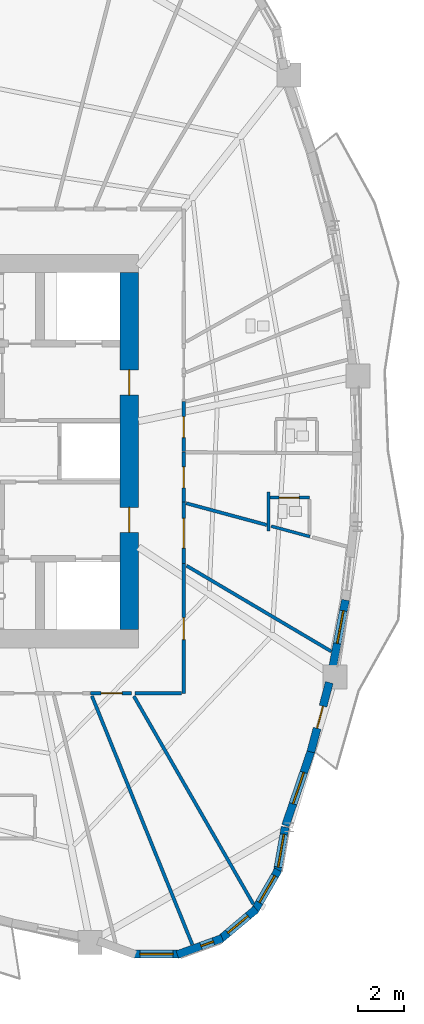
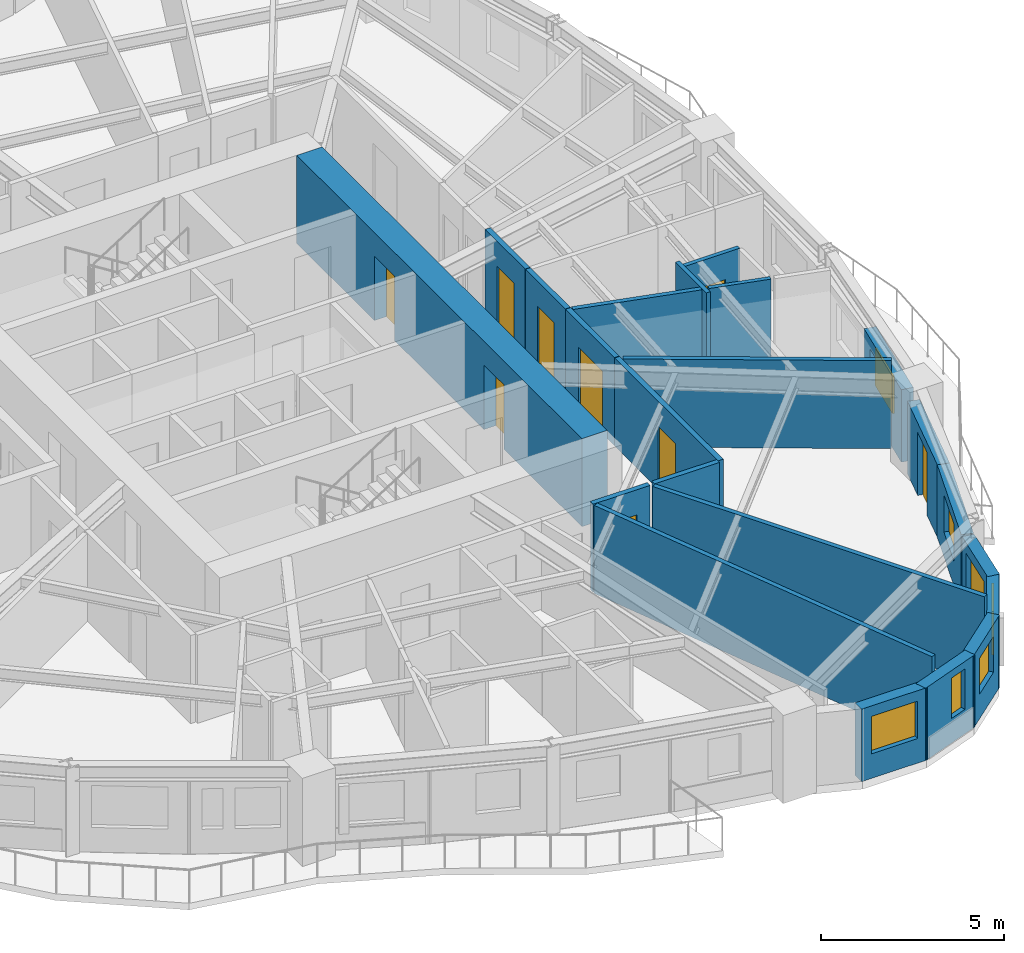
# One storey, part 6 of 13: 22 walls, 9 doors, 7 windows, 16 openings.
"""IFC4 building model written with IfcOpenShell, lengths in metres."""

import ifcopenshell
import ifcopenshell.guid

model = None  # the IFC model being written
_history = None  # IfcOwnerHistory: only IFC2X3 demands one
_inside = {}  # id of a spatial element -> (the spatial element, [elements in it])
_under = {}  # id of a project, library or spatial element -> (it, [spatial elements below it])
_declared = {}  # id of a project -> (the project, [libraries it declares])
_typed = {}  # id of a type object -> (the type object, [elements of that type])
_made_of = {}  # id of a material, layer set ... -> (it, [elements and type objects made of it])


def new_model(schema):
    """Start an empty IFC model of exactly this schema.

    Asked for "IFC4X3", IfcOpenShell would pick the latest addendum, in which some entities
    have other attributes; the version numbers below select the first issue.
    IFC2X3 requires an IfcOwnerHistory on every rooted entity: one is made here for all.
    """
    global model, _history
    if schema == "IFC4X3":
        model = ifcopenshell.file(schema_version=(4, 3, 0, 0))
    else:
        model = ifcopenshell.file(schema=schema)
    _inside.clear()
    _under.clear()
    _declared.clear()
    _typed.clear()
    _made_of.clear()
    _history = None
    if model.schema == "IFC2X3":
        org = make("IfcOrganization", Name="unknown")
        user = make(
            "IfcPersonAndOrganization",
            ThePerson=make("IfcPerson", FamilyName="unknown"),
            TheOrganization=org,
        )
        app = make(
            "IfcApplication",
            ApplicationDeveloper=org,
            Version="unknown",
            ApplicationFullName="unknown",
            ApplicationIdentifier="unknown",
        )
        _history = make(
            "IfcOwnerHistory",
            OwningUser=user,
            OwningApplication=app,
            ChangeAction="ADDED",
            CreationDate=0,
        )
    return model


def make(cls, **values):
    """One entity of the class cls with the attributes given. An attribute that is None is left unset."""
    return model.create_entity(
        cls, **{name: value for name, value in values.items() if value is not None}
    )


def rooted(cls, **values):
    """An entity with a GlobalId (a new one), such as an element, a storey or a relation."""
    return make(cls, GlobalId=ifcopenshell.guid.new(), OwnerHistory=_history, **values)


def si_unit(unit_type, name, prefix=None):
    """IfcSIUnit, for example si_unit("LENGTHUNIT", "METRE", prefix="MILLI")."""
    return make("IfcSIUnit", UnitType=unit_type, Prefix=prefix, Name=name)


def assignment(units):
    """IfcUnitAssignment: the units of a project."""
    return None if units is None else make("IfcUnitAssignment", Units=units)


def point(xyz):
    """IfcCartesianPoint."""
    return None if xyz is None else make("IfcCartesianPoint", Coordinates=xyz)


def direction(xyz):
    """IfcDirection."""
    return None if xyz is None else make("IfcDirection", DirectionRatios=xyz)


def frame(location, z_axis=None, x_axis=None):
    """IfcAxis2Placement3D, a coordinate frame: its origin and axes. An axis left out is left unset."""
    return make(
        "IfcAxis2Placement3D",
        Location=point(location),
        Axis=direction(z_axis),
        RefDirection=direction(x_axis),
    )


def frame_2d(location, x_axis=None):
    """IfcAxis2Placement2D, a coordinate frame in the plane: its origin and x axis."""
    return make(
        "IfcAxis2Placement2D", Location=point(location), RefDirection=direction(x_axis)
    )


def origin():
    """The frame at (0, 0, 0) with its axes left unset."""
    return frame((0.0, 0.0, 0.0))


def place(relative_to, where):
    """IfcLocalPlacement: puts the frame where relative to a parent placement (None: the world)."""
    return make(
        "IfcLocalPlacement", PlacementRelTo=relative_to, RelativePlacement=where
    )


def context(
    kind, dimensions, precision=None, world=None, true_north=None, identifier=None
):
    """IfcGeometricRepresentationContext, for example the 3D "Model" context."""
    return make(
        "IfcGeometricRepresentationContext",
        ContextIdentifier=identifier,
        ContextType=kind,
        CoordinateSpaceDimension=dimensions,
        Precision=precision,
        WorldCoordinateSystem=world,
        TrueNorth=true_north,
    )


def subcontext(parent, identifier, kind, view, scale=None):
    """IfcGeometricRepresentationSubContext, for example "Body" below "Model"."""
    return make(
        "IfcGeometricRepresentationSubContext",
        ContextIdentifier=identifier,
        ContextType=kind,
        ParentContext=parent,
        TargetScale=scale,
        TargetView=view,
    )


def project(units=None, contexts=None):
    """IfcProject with its units and contexts."""
    return rooted(
        "IfcProject",
        Name="project",
        RepresentationContexts=contexts,
        UnitsInContext=assignment(units),
    )


def spatial(cls, under=None, at=None, **own):
    """A site, building, storey or space (cls), placed at a placement, below another one or the project."""
    s = rooted(cls, ObjectPlacement=at, **own)
    if under is not None:
        _under.setdefault(under.id(), (under, []))[1].append(s)
    return s


def profile(cls, at=None, kind="AREA", **sizes):
    """A parametric profile (cls). Its sizes go by their IFC names, for example OverallWidth=200.0."""
    return make(cls, ProfileType=kind, Position=at, **sizes)


def rectangle(**sizes):
    """IfcRectangleProfileDef."""
    return profile("IfcRectangleProfileDef", **sizes)


def extrude(swept, where, along, depth):
    """IfcExtrudedAreaSolid: the profile swept, set in the frame where, extruded along a direction by depth."""
    return make(
        "IfcExtrudedAreaSolid",
        SweptArea=swept,
        Position=where,
        ExtrudedDirection=direction(along),
        Depth=depth,
    )


def shape(context_of_items, identifier, shape_type, items):
    """IfcShapeRepresentation: the items that make up one representation, for example the "Body"."""
    return make(
        "IfcShapeRepresentation",
        ContextOfItems=context_of_items,
        RepresentationIdentifier=identifier,
        RepresentationType=shape_type,
        Items=items,
    )


def source(mapping_origin, context_of_items, identifier, shape_type, items):
    """IfcRepresentationMap: a shape defined once, which mapped items show again and again."""
    return make(
        "IfcRepresentationMap",
        MappingOrigin=mapping_origin,
        MappedRepresentation=shape(context_of_items, identifier, shape_type, items),
    )


def transform(
    local_origin,
    x_axis=None,
    y_axis=None,
    z_axis=None,
    scale=None,
    scale2=None,
    scale3=None,
    uniform=True,
):
    """IfcCartesianTransformationOperator3D, or its non-uniform kind. x_axis, y_axis, z_axis: its Axis1, 2, 3."""
    if uniform:
        return make(
            "IfcCartesianTransformationOperator3D",
            Axis1=direction(x_axis),
            Axis2=direction(y_axis),
            LocalOrigin=point(local_origin),
            Scale=scale,
            Axis3=direction(z_axis),
        )
    return make(
        "IfcCartesianTransformationOperator3DnonUniform",
        Axis1=direction(x_axis),
        Axis2=direction(y_axis),
        LocalOrigin=point(local_origin),
        Scale=scale,
        Axis3=direction(z_axis),
        Scale2=scale2,
        Scale3=scale3,
    )


def mapped(mapping_source, mapping_target):
    """IfcMappedItem: shows the shape of a source again, moved by a transform."""
    return make(
        "IfcMappedItem", MappingSource=mapping_source, MappingTarget=mapping_target
    )


def material(Name=None, Category=None):
    """IfcMaterial."""
    return make("IfcMaterial", Name=Name, Category=Category)


def layer(
    of_material, thickness, ventilated=None, Name=None, Category=None, Priority=None
):
    """IfcMaterialLayer: one layer of a wall or slab, of a material (None: an air gap)."""
    return make(
        "IfcMaterialLayer",
        Material=of_material,
        LayerThickness=thickness,
        IsVentilated=ventilated,
        Name=Name,
        Category=Category,
        Priority=Priority,
    )


def layer_set(layers, Name=None):
    """IfcMaterialLayerSet."""
    return make("IfcMaterialLayerSet", MaterialLayers=layers, LayerSetName=Name)


def made_of(thing, what):
    """Note that an element or type object is made of a material, layer set ...; save() writes the relation."""
    if what is not None:
        _made_of.setdefault(what.id(), (what, []))[1].append(thing)
    return thing


def type_object(cls, material=None, **own):
    """A type object (cls), such as IfcWallType, which elements share."""
    return made_of(rooted(cls, **own), material)


def element(
    cls,
    number,
    at=None,
    inside=None,
    cuts=None,
    type_object=None,
    material=None,
    context=None,
    identifier="Body",
    shape_type=None,
    held_by="IfcProductDefinitionShape",
    body=None,
    shapes=None,
    **own,
):
    """One element of the class cls, such as IfcWall. Its Tag is "e" and its number.

    at: its placement. inside: the storey or other place that contains it. cuts: it is an
    opening in that element (IfcRelVoidsElement). A single representation is given by context,
    identifier, shape_type and body (its items); several are given by shapes. held_by: the class
    of the entity that holds the representations. save() writes the other relations.
    """
    e = rooted(cls, Tag="e%d" % number, ObjectPlacement=at, **own)
    if body is not None:
        shapes = [shape(context, identifier, shape_type, body)]
    if shapes is not None:
        e.Representation = make(held_by, Representations=shapes)
    if inside is not None:
        _inside.setdefault(inside.id(), (inside, []))[1].append(e)
    if cuts is not None:
        rooted(
            "IfcRelVoidsElement", RelatingBuildingElement=cuts, RelatedOpeningElement=e
        )
    if type_object is not None:
        _typed.setdefault(type_object.id(), (type_object, []))[1].append(e)
    return made_of(e, material)


def fill(opening, filler):
    """IfcRelFillsElement: the door or window that sits in an opening."""
    return rooted(
        "IfcRelFillsElement",
        RelatingOpeningElement=opening,
        RelatedBuildingElement=filler,
    )


def aggregate(whole, parts):
    """IfcRelAggregates: a whole, such as a stair, and the parts it consists of."""
    return rooted("IfcRelAggregates", RelatingObject=whole, RelatedObjects=parts)


def save(model, path):
    """Write the relations noted so far, then the file.

    IfcRelAggregates (storeys below a building ...), IfcRelContainedInSpatialStructure (elements
    in a storey), IfcRelDefinesByType, IfcRelAssociatesMaterial and IfcRelDeclares: one each for
    every whole, place, type object, material and project.
    """
    for whole, parts in _under.values():
        aggregate(whole, parts)
    for where, things in _inside.values():
        rooted(
            "IfcRelContainedInSpatialStructure",
            RelatedElements=things,
            RelatingStructure=where,
        )
    for kind, things in _typed.values():
        rooted("IfcRelDefinesByType", RelatedObjects=things, RelatingType=kind)
    for what, things in _made_of.values():
        rooted("IfcRelAssociatesMaterial", RelatedObjects=things, RelatingMaterial=what)
    for by, libraries in _declared.values():
        rooted("IfcRelDeclares", RelatingContext=by, RelatedDefinitions=libraries)
    model.write(path)


model = new_model("IFC4")

# Units and contexts
model_context = context("Model", 3, precision=1e-05, world=origin(), true_north=direction((0.0, 1.0)))
body_context = subcontext(model_context, "Body", "Model", "MODEL_VIEW")
ifc_project = project(units=[si_unit("LENGTHUNIT", "METRE"), si_unit("AREAUNIT", "SQUARE_METRE"), si_unit("VOLUMEUNIT", "CUBIC_METRE"), si_unit("PLANEANGLEUNIT", "RADIAN"), si_unit("MASSUNIT", "GRAM", prefix="KILO")], contexts=[model_context])

# Site, building, storey
site_placement = place(None, origin())
site = spatial("IfcSite", under=ifc_project, at=site_placement, CompositionType="ELEMENT")
building_placement = place(site_placement, origin())
building = spatial("IfcBuilding", under=site, at=building_placement, Name="Qafzar Sky-Pleat Residences", CompositionType="ELEMENT")
storey_placement = place(building_placement, frame((0.0, 0.0, 49.39990234375)))
storey = spatial("IfcBuildingStorey", under=building, at=storey_placement, Name="L14", CompositionType="ELEMENT", Elevation=49.39990234375)

# Wall, opening, door
ifc_material_1 = material(Name="Acoustic gypsum plasterboard partition", Category="gypsum")
ifc_layer_1 = layer(ifc_material_1, 0.159912109375)
ifc_layer_set_1 = layer_set([ifc_layer_1], Name="Acoustic gypsum plasterboard partition")
wall_type_1 = type_object("IfcWallType", Name="PART-COR-160", PredefinedType="PARTITIONING", material=ifc_layer_set_1)
wall_1_placement = place(storey_placement, frame((38.679931640625, 21.0859375, 0.0), z_axis=(0.0, 0.0, 1.0), x_axis=(0.0, -1.0, 0.0)))
wall_1 = element("IfcWall", 1, at=wall_1_placement, inside=storey, type_object=wall_type_1, Name="L14 Partition Wall PART-L14-PW-003", PredefinedType="PARTITIONING", context=body_context, shape_type="SweptSolid", body=[
    extrude(rectangle(XDim=5.666015625, YDim=0.159912109375, at=frame_2d((2.8330078125, 0.0))), origin(), (0.0, 0.0, 1.0), 2.940185546875),
])
opening_1_placement = place(wall_1_placement, frame((2.361572265625, 0.0, 0.0)))
opening_1 = element("IfcOpeningElement", 2, at=opening_1_placement, cuts=wall_1, Name="Opening ID-06", PredefinedType="OPENING", context=body_context, shape_type="SweptSolid", body=[
    extrude(rectangle(XDim=0.9599609375, YDim=2.10009765625, at=frame_2d((0.47998046875, 1.050048828125))), frame((0.0, 0.08984375, 0.0), z_axis=(0.0, -1.0, 0.0), x_axis=(1.0, 0.0, 0.0)), (0.0, 0.0, 1.0), 0.179931640625),
])
ifc_material_2 = material(Name="Timber-faced fire door", Category="wood")
door_type_1 = type_object("IfcDoorType", Name="DR-STD-960", OperationType="NOTDEFINED", PredefinedType="DOOR", material=ifc_material_2)
shared_shape_1 = source(origin(), body_context, "Body", "SweptSolid", [
    extrude(rectangle(XDim=0.9599609375, YDim=2.10009765625, at=frame_2d((0.47998046875, 1.050048828125))), frame((0.0, 0.02490234375, 0.0), z_axis=(0.0, -1.0, 0.0), x_axis=(1.0, 0.0, 0.0)), (0.0, 0.0, 1.0), 0.050048828125),
])
door_1_placement = place(opening_1_placement, origin())
door_1 = element("IfcDoor", 3, at=door_1_placement, inside=storey, type_object=door_type_1, Name="L14 Faculty Research Office Door", OperationType="SINGLE_SWING_RIGHT", OverallHeight=2.10009765625, OverallWidth=0.9599609375, PredefinedType="DOOR", context=body_context, shape_type="MappedRepresentation", body=[
    mapped(shared_shape_1, transform((0.0, 0.0, 0.0), x_axis=(1.0, 0.0, 0.0), y_axis=(0.0, 1.0, 0.0), z_axis=(0.0, 0.0, 1.0), scale=1.0)),
])
fill(opening_1, door_1)

wall_2_placement = place(storey_placement, frame((38.679931640625, 23.77001953125, 0.0), z_axis=(0.0, 0.0, 1.0), x_axis=(0.0, -1.0, 0.0)))
wall_2 = element("IfcWall", 4, at=wall_2_placement, inside=storey, type_object=wall_type_1, Name="L14 Partition Wall PART-L14-PW-011", PredefinedType="PARTITIONING", context=body_context, shape_type="SweptSolid", body=[
    extrude(rectangle(XDim=2.6689453125, YDim=0.159912109375, at=frame_2d((1.33447265625, 0.0))), origin(), (0.0, 0.0, 1.0), 2.940185546875),
])
opening_2_placement = place(wall_2_placement, frame((0.7080078125, 0.0, 0.0)))
opening_2 = element("IfcOpeningElement", 5, at=opening_2_placement, cuts=wall_2, Name="Opening ID-05", PredefinedType="OPENING", context=body_context, shape_type="SweptSolid", body=[
    extrude(rectangle(XDim=1.300048828125, YDim=2.10009765625, at=frame_2d((0.64990234375, 1.050048828125))), frame((0.0, 0.08984375, 0.0), z_axis=(0.0, -1.0, 0.0), x_axis=(1.0, 0.0, 0.0)), (0.0, 0.0, 1.0), 0.179931640625),
])
door_type_2 = type_object("IfcDoorType", Name="DR-LNG-1300", OperationType="DOUBLE_DOOR_SINGLE_SWING", PredefinedType="DOOR", material=ifc_material_2)
shared_shape_2 = source(origin(), body_context, "Body", "SweptSolid", [
    extrude(rectangle(XDim=1.300048828125, YDim=2.10009765625, at=frame_2d((0.64990234375, 1.050048828125))), frame((0.0, 0.02490234375, 0.0), z_axis=(0.0, -1.0, 0.0), x_axis=(1.0, 0.0, 0.0)), (0.0, 0.0, 1.0), 0.050048828125),
])
door_2_placement = place(opening_2_placement, origin())
door_2 = element("IfcDoor", 6, at=door_2_placement, inside=storey, type_object=door_type_2, Name="L14 Communal Kitchen Door", OperationType="DOUBLE_DOOR_SINGLE_SWING", OverallHeight=2.10009765625, OverallWidth=1.300048828125, PredefinedType="DOOR", context=body_context, shape_type="MappedRepresentation", body=[
    mapped(shared_shape_2, transform((0.0, 0.0, 0.0), x_axis=(1.0, 0.0, 0.0), y_axis=(0.0, 1.0, 0.0), z_axis=(0.0, 0.0, 1.0), scale=1.0)),
])
fill(opening_2, door_2)

wall_3_placement = place(storey_placement, frame((38.679931640625, 25.968017578125, 0.0), z_axis=(0.0, 0.0, 1.0), x_axis=(0.0, -1.0, 0.0)))
wall_3 = element("IfcWall", 7, at=wall_3_placement, inside=storey, type_object=wall_type_1, Name="L14 Partition Wall PART-L14-PW-014", PredefinedType="PARTITIONING", context=body_context, shape_type="SweptSolid", body=[
    extrude(rectangle(XDim=2.18310546875, YDim=0.159912109375, at=frame_2d((1.091552734375, 0.0))), origin(), (0.0, 0.0, 1.0), 2.940185546875),
])
opening_3_placement = place(wall_3_placement, frame((0.654052734375, 0.0, 0.0)))
opening_3 = element("IfcOpeningElement", 8, at=opening_3_placement, cuts=wall_3, Name="Opening ID-04", PredefinedType="OPENING", context=body_context, shape_type="SweptSolid", body=[
    extrude(rectangle(XDim=0.919921875, YDim=2.10009765625, at=frame_2d((0.4599609375, 1.050048828125))), frame((0.0, 0.08984375, 0.0), z_axis=(0.0, -1.0, 0.0), x_axis=(1.0, 0.0, 0.0)), (0.0, 0.0, 1.0), 0.179931640625),
])
door_type_3 = type_object("IfcDoorType", Name="DR-BED-920", OperationType="NOTDEFINED", PredefinedType="DOOR", material=ifc_material_2)
shared_shape_3 = source(origin(), body_context, "Body", "SweptSolid", [
    extrude(rectangle(XDim=0.919921875, YDim=2.10009765625, at=frame_2d((0.4599609375, 1.050048828125))), frame((0.0, 0.02490234375, 0.0), z_axis=(0.0, -1.0, 0.0), x_axis=(1.0, 0.0, 0.0)), (0.0, 0.0, 1.0), 0.050048828125),
])
door_3_placement = place(opening_3_placement, origin())
door_3 = element("IfcDoor", 9, at=door_3_placement, inside=storey, type_object=door_type_3, Name="L14 Co-Living Bedroom 3 Door", OperationType="SINGLE_SWING_RIGHT", OverallHeight=2.10009765625, OverallWidth=0.919921875, PredefinedType="DOOR", context=body_context, shape_type="MappedRepresentation", body=[
    mapped(shared_shape_3, transform((0.0, 0.0, 0.0), x_axis=(1.0, 0.0, 0.0), y_axis=(0.0, 1.0, 0.0), z_axis=(0.0, 0.0, 1.0), scale=1.0)),
])
fill(opening_3, door_3)

wall_4_placement = place(storey_placement, frame((38.679931640625, 28.1640625, 0.0), z_axis=(0.0, 0.0, 1.0), x_axis=(0.0, -1.0, 0.0)))
wall_4 = element("IfcWall", 10, at=wall_4_placement, inside=storey, type_object=wall_type_1, Name="L14 Partition Wall PART-L14-PW-015", PredefinedType="PARTITIONING", context=body_context, shape_type="SweptSolid", body=[
    extrude(rectangle(XDim=2.18115234375, YDim=0.159912109375, at=frame_2d((1.090576171875, 0.0))), origin(), (0.0, 0.0, 1.0), 2.940185546875),
])
opening_4_placement = place(wall_4_placement, frame((0.653564453125, 0.0, 0.0)))
opening_4 = element("IfcOpeningElement", 11, at=opening_4_placement, cuts=wall_4, Name="Opening ID-04", PredefinedType="OPENING", context=body_context, shape_type="SweptSolid", body=[
    extrude(rectangle(XDim=0.919921875, YDim=2.10009765625, at=frame_2d((0.4599609375, 1.050048828125))), frame((0.0, 0.08984375, 0.0), z_axis=(0.0, -1.0, 0.0), x_axis=(1.0, 0.0, 0.0)), (0.0, 0.0, 1.0), 0.179931640625),
])
door_4_placement = place(opening_4_placement, origin())
door_4 = element("IfcDoor", 12, at=door_4_placement, inside=storey, type_object=door_type_3, Name="L14 Co-Living Bedroom 4 Door", OperationType="SINGLE_SWING_LEFT", OverallHeight=2.10009765625, OverallWidth=0.919921875, PredefinedType="DOOR", context=body_context, shape_type="MappedRepresentation", body=[
    mapped(shared_shape_3, transform((0.0, 0.0, 0.0), x_axis=(1.0, 0.0, 0.0), y_axis=(0.0, 1.0, 0.0), z_axis=(0.0, 0.0, 1.0), scale=1.0)),
])
fill(opening_4, door_4)

wall_5_placement = place(storey_placement, frame((36.39794921875, 15.419921875, 0.0), z_axis=(0.0, 0.0, 1.0), x_axis=(-1.0, 0.0, 0.0)))
wall_5 = element("IfcWall", 13, at=wall_5_placement, inside=storey, type_object=wall_type_1, Name="L14 Partition Wall PART-L14-PW-025", PredefinedType="PARTITIONING", context=body_context, shape_type="SweptSolid", body=[
    extrude(rectangle(XDim=1.7919921875, YDim=0.159912109375, at=frame_2d((0.89599609375, 0.0))), origin(), (0.0, 0.0, 1.0), 2.940185546875),
])
opening_5_placement = place(wall_5_placement, frame((0.410888671875, 0.0, 0.0)))
opening_5 = element("IfcOpeningElement", 14, at=opening_5_placement, cuts=wall_5, Name="Opening ID-04", PredefinedType="OPENING", context=body_context, shape_type="SweptSolid", body=[
    extrude(rectangle(XDim=0.919921875, YDim=2.10009765625, at=frame_2d((0.4599609375, 1.050048828125))), frame((0.0, 0.08984375, 0.0), z_axis=(0.0, -1.0, 0.0), x_axis=(1.0, 0.0, 0.0)), (0.0, 0.0, 1.0), 0.179931640625),
])
door_5_placement = place(opening_5_placement, origin())
door_5 = element("IfcDoor", 15, at=door_5_placement, inside=storey, type_object=door_type_3, Name="L14 Co-Living Bedroom 2 Door", OperationType="SINGLE_SWING_LEFT", OverallHeight=2.10009765625, OverallWidth=0.919921875, PredefinedType="DOOR", context=body_context, shape_type="MappedRepresentation", body=[
    mapped(shared_shape_3, transform((0.0, 0.0, 0.0), x_axis=(1.0, 0.0, 0.0), y_axis=(0.0, 1.0, 0.0), z_axis=(0.0, 0.0, 1.0), scale=1.0)),
])
fill(opening_5, door_5)

# Walls
wall_6_placement = place(storey_placement, frame((36.550537109375, 15.419921875, 0.0), z_axis=(0.0, 0.0, 1.0), x_axis=(1.0, 0.0, 0.0)))
element("IfcWall", 16, at=wall_6_placement, inside=storey, type_object=wall_type_1, Name="L14 Partition Wall PART-L14-PW-056", PredefinedType="PARTITIONING", context=body_context, shape_type="SweptSolid", body=[
    extrude(rectangle(XDim=2.04150390625, YDim=0.159912109375, at=frame_2d((1.020751953125, 0.0))), origin(), (0.0, 0.0, 1.0), 2.940185546875),
])
ifc_layer_2 = layer(ifc_material_1, 0.14501953125)
ifc_layer_set_2 = layer_set([ifc_layer_2], Name="Acoustic gypsum plasterboard partition")
wall_type_2 = type_object("IfcWallType", Name="PART-UNIT-145", PredefinedType="PARTITIONING", material=ifc_layer_set_2)
wall_7_placement = place(storey_placement, frame((34.669189453125, 15.305419921875, 0.0), z_axis=(0.0, 0.0, 1.0), x_axis=(0.374459605158, -0.927243228126, 0.0)))
element("IfcWall", 17, at=wall_7_placement, inside=storey, type_object=wall_type_2, Name="L14 Partition Wall PART-L14-PW-031", PredefinedType="PARTITIONING", context=body_context, shape_type="SweptSolid", body=[
    extrude(rectangle(XDim=11.719482421875, YDim=0.14501953125, at=frame_2d((5.85986328125, 0.0))), origin(), (0.0, 0.0, 1.0), 2.940185546875),
])
wall_8_placement = place(storey_placement, frame((36.501708984375, 15.296875, 0.0), z_axis=(0.0, 0.0, 1.0), x_axis=(0.498240240214, -0.867039020478, 0.0)))
element("IfcWall", 18, at=wall_8_placement, inside=storey, type_object=wall_type_2, Name="L14 Partition Wall PART-L14-PW-037", PredefinedType="PARTITIONING", context=body_context, shape_type="SweptSolid", body=[
    extrude(rectangle(XDim=10.490478515625, YDim=0.14501953125, at=frame_2d((5.2451171875, 0.0))), origin(), (0.0, 0.0, 1.0), 2.940185546875),
])
wall_9_placement = place(storey_placement, frame((38.8037109375, 20.99560546875, 0.0), z_axis=(0.0, 0.0, 1.0), x_axis=(0.860541640281, -0.509380099084, 0.0)))
element("IfcWall", 19, at=wall_9_placement, inside=storey, type_object=wall_type_2, Name="L14 Partition Wall PART-L14-PW-040", PredefinedType="PARTITIONING", context=body_context, shape_type="SweptSolid", body=[
    extrude(rectangle(XDim=7.354248046875, YDim=0.14501953125, at=frame_2d((3.67724609375, 0.0))), origin(), (0.0, 0.0, 1.0), 2.940185546875),
])
wall_10_placement = place(storey_placement, frame((38.78662109375, 23.726318359375, 0.0), z_axis=(0.0, 0.0, 1.0), x_axis=(0.965490888833, -0.260436832228, 0.0)))
element("IfcWall", 20, at=wall_10_placement, inside=storey, type_object=wall_type_2, Name="L14 Partition Wall PART-L14-PW-048", PredefinedType="PARTITIONING", context=body_context, shape_type="SweptSolid", body=[
    extrude(rectangle(XDim=3.646484375, YDim=0.14501953125, at=frame_2d((1.8232421875, 0.0))), origin(), (0.0, 0.0, 1.0), 2.940185546875),
])

# Wall, opening, door
ifc_material_3 = material(Name="Moisture-resistant gypsum partition", Category="gypsum")
ifc_layer_3 = layer(ifc_material_3, 0.1298828125)
ifc_layer_set_3 = layer_set([ifc_layer_3], Name="Moisture-resistant gypsum partition")
wall_type_3 = type_object("IfcWallType", Name="PART-WET-130", PredefinedType="PARTITIONING", material=ifc_layer_set_3)
wall_11_placement = place(storey_placement, frame((44.18408203125, 23.971923828125, 0.0), z_axis=(0.0, 0.0, 1.0), x_axis=(-1.0, 0.0, 0.0)))
wall_11 = element("IfcWall", 21, at=wall_11_placement, inside=storey, type_object=wall_type_3, Name="L14 Partition Wall PART-L14-PW-024", PredefinedType="PARTITIONING", context=body_context, shape_type="SweptSolid", body=[
    extrude(rectangle(XDim=1.72705078125, YDim=0.1298828125, at=frame_2d((0.863525390625, 0.0))), origin(), (0.0, 0.0, 1.0), 2.940185546875),
])
opening_6_placement = place(wall_11_placement, frame((0.4599609375, 0.0, 0.0)))
opening_6 = element("IfcOpeningElement", 22, at=opening_6_placement, cuts=wall_11, Name="Opening ID-07", PredefinedType="OPENING", context=body_context, shape_type="SweptSolid", body=[
    extrude(rectangle(XDim=0.8798828125, YDim=2.050048828125, at=frame_2d((0.43994140625, 1.02490234375))), frame((0.0, 0.074951171875, 0.0), z_axis=(0.0, -1.0, 0.0), x_axis=(1.0, 0.0, 0.0)), (0.0, 0.0, 1.0), 0.14990234375),
])
door_type_4 = type_object("IfcDoorType", Name="DR-WET-880", OperationType="NOTDEFINED", PredefinedType="DOOR", material=ifc_material_2)
shared_shape_4 = source(origin(), body_context, "Body", "SweptSolid", [
    extrude(rectangle(XDim=0.8798828125, YDim=2.050048828125, at=frame_2d((0.43994140625, 1.02490234375))), frame((0.0, 0.02490234375, 0.0), z_axis=(0.0, -1.0, 0.0), x_axis=(1.0, 0.0, 0.0)), (0.0, 0.0, 1.0), 0.050048828125),
])
door_6_placement = place(opening_6_placement, origin())
door_6 = element("IfcDoor", 23, at=door_6_placement, inside=storey, type_object=door_type_4, Name="L14 En-suite Bathroom 3 Door", OperationType="SINGLE_SWING_RIGHT", OverallHeight=2.050048828125, OverallWidth=0.8798828125, PredefinedType="DOOR", context=body_context, shape_type="MappedRepresentation", body=[
    mapped(shared_shape_4, transform((0.0, 0.0, 0.0), x_axis=(1.0, 0.0, 0.0), y_axis=(0.0, 1.0, 0.0), z_axis=(0.0, 0.0, 1.0), scale=1.0)),
])
fill(opening_6, door_6)

# Walls
wall_12_placement = place(storey_placement, frame((42.503173828125, 22.723876953125, 0.0), z_axis=(0.0, 0.0, 1.0), x_axis=(0.965583538466, -0.260093118409, 0.0)))
element("IfcWall", 24, at=wall_12_placement, inside=storey, type_object=wall_type_3, Name="L14 Partition Wall PART-L14-PW-060", PredefinedType="PARTITIONING", context=body_context, shape_type="SweptSolid", body=[
    extrude(rectangle(XDim=1.75634765625, YDim=0.1298828125, at=frame_2d((0.878173828125, 0.0))), origin(), (0.0, 0.0, 1.0), 2.940185546875),
])
wall_13_placement = place(storey_placement, frame((42.384033203125, 22.51611328125, 0.0), z_axis=(0.0, 0.0, 1.0), x_axis=(0.0, 1.0, 0.0)))
element("IfcWall", 25, at=wall_13_placement, inside=storey, type_object=wall_type_3, Name="L14 Partition Wall PART-L14-PW-082", PredefinedType="PARTITIONING", context=body_context, shape_type="SweptSolid", body=[
    extrude(rectangle(XDim=1.69580078125, YDim=0.1298828125, at=frame_2d((0.847900390625, 0.0))), origin(), (0.0, 0.0, 1.0), 2.940185546875),
])

# Wall, opening, window
ifc_material_4 = material(Name="Precast concrete C40/50 with honed Riyadh limestone", Category="concrete")
ifc_layer_4 = layer(ifc_material_4, 0.35009765625)
ifc_layer_set_4 = layer_set([ifc_layer_4], Name="Precast concrete C40/50 with honed Riyadh limestone")
wall_type_4 = type_object("IfcWallType", Name="WALL-EXT-350", PredefinedType="SOLIDWALL", material=ifc_layer_set_4)
wall_14_placement = place(storey_placement, frame((36.44482421875, 4.02587890625, 0.0), z_axis=(0.0, 0.0, 1.0), x_axis=(1.0, 0.0, 0.0)))
wall_14 = element("IfcWall", 26, at=wall_14_placement, inside=storey, type_object=wall_type_4, Name="L14 Limestone Facade Wall 18", PredefinedType="SOLIDWALL", context=body_context, shape_type="SweptSolid", body=[
    extrude(rectangle(XDim=2.09033203125, YDim=0.35009765625, at=frame_2d((1.045166015625, 0.0))), origin(), (0.0, 0.0, 1.0), 2.420166015625),
])
opening_7_placement = place(wall_14_placement, frame((0.3203125, 0.0, 0.820068359375)))
opening_7 = element("IfcOpeningElement", 27, at=opening_7_placement, cuts=wall_14, Name="Opening WN-15", PredefinedType="OPENING", context=body_context, shape_type="SweptSolid", body=[
    extrude(rectangle(XDim=1.449951171875, YDim=1.25, at=frame_2d((0.72509765625, 0.625))), frame((0.0, 0.18505859375, 0.0), z_axis=(0.0, -1.0, 0.0), x_axis=(1.0, 0.0, 0.0)), (0.0, 0.0, 1.0), 0.3701171875),
])
ifc_material_5 = material(Name="Solar-control low-E glass in bronze aluminium frame", Category="glass")
window_type_1 = type_object("IfcWindowType", Name="WIN-15", PartitioningType="SINGLE_PANEL", PredefinedType="WINDOW", material=ifc_material_5)
shared_shape_5 = source(origin(), body_context, "Body", "SweptSolid", [
    extrude(rectangle(XDim=1.449951171875, YDim=1.25, at=frame_2d((0.72509765625, 0.625))), frame((0.0, 0.030029296875, 0.0), z_axis=(0.0, -1.0, 0.0), x_axis=(1.0, 0.0, 0.0)), (0.0, 0.0, 1.0), 0.06005859375),
])
window_1_placement = place(opening_7_placement, origin())
window_1 = element("IfcWindow", 28, at=window_1_placement, inside=storey, type_object=window_type_1, Name="L14 Punched Facade Window 18", OverallHeight=1.25, OverallWidth=1.449951171875, PartitioningType="SINGLE_PANEL", PredefinedType="WINDOW", context=body_context, shape_type="MappedRepresentation", body=[
    mapped(shared_shape_5, transform((0.0, 0.0, 0.0), x_axis=(1.0, 0.0, 0.0), y_axis=(0.0, 1.0, 0.0), z_axis=(0.0, 0.0, 1.0), scale=1.0)),
])
fill(opening_7, window_1)

wall_15_placement = place(storey_placement, frame((38.401611328125, 4.00244140625, 0.0), z_axis=(0.0, 0.0, 1.0), x_axis=(0.939711556618, 0.341968113072, 0.0)))
wall_15 = element("IfcWall", 29, at=wall_15_placement, inside=storey, type_object=wall_type_4, Name="L14 Limestone Facade Wall 19", PredefinedType="SOLIDWALL", context=body_context, shape_type="SweptSolid", body=[
    extrude(rectangle(XDim=2.09033203125, YDim=0.35009765625, at=frame_2d((1.045166015625, 0.0))), origin(), (0.0, 0.0, 1.0), 2.420166015625),
])
opening_8_placement = place(wall_15_placement, frame((1.09814453125, 0.0, 0.820068359375)))
opening_8 = element("IfcOpeningElement", 30, at=opening_8_placement, cuts=wall_15, Name="Opening WN-17", PredefinedType="OPENING", context=body_context, shape_type="SweptSolid", body=[
    extrude(rectangle(XDim=0.580078125, YDim=1.35009765625, at=frame_2d((0.2900390625, 0.675048828125))), frame((0.0, 0.18505859375, 0.0), z_axis=(0.0, -1.0, 0.0), x_axis=(1.0, 0.0, 0.0)), (0.0, 0.0, 1.0), 0.3701171875),
])
window_type_2 = type_object("IfcWindowType", Name="WIN-17", PartitioningType="SINGLE_PANEL", PredefinedType="WINDOW", material=ifc_material_5)
shared_shape_6 = source(origin(), body_context, "Body", "SweptSolid", [
    extrude(rectangle(XDim=0.580078125, YDim=1.35009765625, at=frame_2d((0.2900390625, 0.675048828125))), frame((0.0, 0.030029296875, 0.0), z_axis=(0.0, -1.0, 0.0), x_axis=(1.0, 0.0, 0.0)), (0.0, 0.0, 1.0), 0.06005859375),
])
window_2_placement = place(opening_8_placement, origin())
window_2 = element("IfcWindow", 31, at=window_2_placement, inside=storey, type_object=window_type_2, Name="L14 Punched Facade Window 19-2", OverallHeight=1.35009765625, OverallWidth=0.580078125, PartitioningType="SINGLE_PANEL", PredefinedType="WINDOW", context=body_context, shape_type="MappedRepresentation", body=[
    mapped(shared_shape_6, transform((0.0, 0.0, 0.0), x_axis=(1.0, 0.0, 0.0), y_axis=(0.0, 1.0, 0.0), z_axis=(0.0, 0.0, 1.0), scale=1.0)),
])
fill(opening_8, window_2)

wall_16_placement = place(storey_placement, frame((40.248291015625, 4.6494140625, 0.0), z_axis=(0.0, 0.0, 1.0), x_axis=(0.766024572719, 0.642811289563, 0.0)))
wall_16 = element("IfcWall", 32, at=wall_16_placement, inside=storey, type_object=wall_type_4, Name="L14 Limestone Facade Wall 20", PredefinedType="SOLIDWALL", context=body_context, shape_type="SweptSolid", body=[
    extrude(rectangle(XDim=2.09033203125, YDim=0.35009765625, at=frame_2d((1.045166015625, 0.0))), origin(), (0.0, 0.0, 1.0), 2.420166015625),
])
opening_9_placement = place(wall_16_placement, frame((0.47021484375, 0.0, 0.820068359375)))
opening_9 = element("IfcOpeningElement", 33, at=opening_9_placement, cuts=wall_16, Name="Opening WN-16", PredefinedType="OPENING", context=body_context, shape_type="SweptSolid", body=[
    extrude(rectangle(XDim=1.14990234375, YDim=1.199951171875, at=frame_2d((0.574951171875, 0.60009765625))), frame((0.0, 0.18505859375, 0.0), z_axis=(0.0, -1.0, 0.0), x_axis=(1.0, 0.0, 0.0)), (0.0, 0.0, 1.0), 0.3701171875),
])
window_type_3 = type_object("IfcWindowType", Name="WIN-16", PartitioningType="SINGLE_PANEL", PredefinedType="WINDOW", material=ifc_material_5)
shared_shape_7 = source(origin(), body_context, "Body", "SweptSolid", [
    extrude(rectangle(XDim=1.14990234375, YDim=1.199951171875, at=frame_2d((0.574951171875, 0.60009765625))), frame((0.0, 0.030029296875, 0.0), z_axis=(0.0, -1.0, 0.0), x_axis=(1.0, 0.0, 0.0)), (0.0, 0.0, 1.0), 0.06005859375),
])
window_3_placement = place(opening_9_placement, origin())
window_3 = element("IfcWindow", 34, at=window_3_placement, inside=storey, type_object=window_type_3, Name="L14 Punched Facade Window 20", OverallHeight=1.199951171875, OverallWidth=1.14990234375, PartitioningType="SINGLE_PANEL", PredefinedType="WINDOW", context=body_context, shape_type="MappedRepresentation", body=[
    mapped(shared_shape_7, transform((0.0, 0.0, 0.0), x_axis=(1.0, 0.0, 0.0), y_axis=(0.0, 1.0, 0.0), z_axis=(0.0, 0.0, 1.0), scale=1.0)),
])
fill(opening_9, window_3)

wall_17_placement = place(storey_placement, frame((41.762451171875, 5.889404296875, 0.0), z_axis=(0.0, 0.0, 1.0), x_axis=(0.500046000743, 0.865998843614, 0.0)))
wall_17 = element("IfcWall", 35, at=wall_17_placement, inside=storey, type_object=wall_type_4, Name="L14 Limestone Facade Wall 21", PredefinedType="SOLIDWALL", context=body_context, shape_type="SweptSolid", body=[
    extrude(rectangle(XDim=2.090087890625, YDim=0.35009765625, at=frame_2d((1.044921875, 0.0))), origin(), (0.0, 0.0, 1.0), 2.420166015625),
])
opening_10_placement = place(wall_17_placement, frame((0.450927734375, 0.0, 0.820068359375)))
opening_10 = element("IfcOpeningElement", 36, at=opening_10_placement, cuts=wall_17, Name="Opening WN-04", PredefinedType="OPENING", context=body_context, shape_type="SweptSolid", body=[
    extrude(rectangle(XDim=1.35009765625, YDim=1.449951171875, at=frame_2d((0.675048828125, 0.72509765625))), frame((0.0, 0.18505859375, 0.0), z_axis=(0.0, -1.0, 0.0), x_axis=(1.0, 0.0, 0.0)), (0.0, 0.0, 1.0), 0.3701171875),
])
window_type_4 = type_object("IfcWindowType", Name="WIN-04", PartitioningType="SINGLE_PANEL", PredefinedType="WINDOW", material=ifc_material_5)
shared_shape_8 = source(origin(), body_context, "Body", "SweptSolid", [
    extrude(rectangle(XDim=1.35009765625, YDim=1.449951171875, at=frame_2d((0.675048828125, 0.72509765625))), frame((0.0, 0.030029296875, 0.0), z_axis=(0.0, -1.0, 0.0), x_axis=(1.0, 0.0, 0.0)), (0.0, 0.0, 1.0), 0.06005859375),
])
window_4_placement = place(opening_10_placement, origin())
window_4 = element("IfcWindow", 37, at=window_4_placement, inside=storey, type_object=window_type_4, Name="L14 Punched Facade Window 21", OverallHeight=1.449951171875, OverallWidth=1.35009765625, PartitioningType="SINGLE_PANEL", PredefinedType="WINDOW", context=body_context, shape_type="MappedRepresentation", body=[
    mapped(shared_shape_8, transform((0.0, 0.0, 0.0), x_axis=(1.0, 0.0, 0.0), y_axis=(0.0, 1.0, 0.0), z_axis=(0.0, 0.0, 1.0), scale=1.0)),
])
fill(opening_10, window_4)

wall_18_placement = place(storey_placement, frame((42.76123046875, 7.572021484375, 0.0), z_axis=(0.0, 0.0, 1.0), x_axis=(0.17370309897, 0.984798067326, 0.0)))
wall_18 = element("IfcWall", 38, at=wall_18_placement, inside=storey, type_object=wall_type_4, Name="L14 Limestone Facade Wall 22", PredefinedType="SOLIDWALL", context=body_context, shape_type="SweptSolid", body=[
    extrude(rectangle(XDim=2.032470703125, YDim=0.35009765625, at=frame_2d((1.01611328125, 0.0))), origin(), (0.0, 0.0, 1.0), 2.420166015625),
])
opening_11_placement = place(wall_18_placement, frame((0.26123046875, 0.0, 0.820068359375)))
opening_11 = element("IfcOpeningElement", 39, at=opening_11_placement, cuts=wall_18, Name="Opening WN-15", PredefinedType="OPENING", context=body_context, shape_type="SweptSolid", body=[
    extrude(rectangle(XDim=1.449951171875, YDim=1.25, at=frame_2d((0.72509765625, 0.625))), frame((0.0, 0.18505859375, 0.0), z_axis=(0.0, -1.0, 0.0), x_axis=(1.0, 0.0, 0.0)), (0.0, 0.0, 1.0), 0.3701171875),
])
window_5_placement = place(opening_11_placement, origin())
window_5 = element("IfcWindow", 40, at=window_5_placement, inside=storey, type_object=window_type_1, Name="L14 Punched Facade Window 22", OverallHeight=1.25, OverallWidth=1.449951171875, PartitioningType="SINGLE_PANEL", PredefinedType="WINDOW", context=body_context, shape_type="MappedRepresentation", body=[
    mapped(shared_shape_5, transform((0.0, 0.0, 0.0), x_axis=(1.0, 0.0, 0.0), y_axis=(0.0, 1.0, 0.0), z_axis=(0.0, 0.0, 1.0), scale=1.0)),
])
fill(opening_11, window_5)

wall_19_placement = place(storey_placement, frame((43.130859375, 9.638427734375, 0.0), z_axis=(0.0, 0.0, 1.0), x_axis=(0.32360039121, 0.94619384209, 0.0)))
wall_19 = element("IfcWall", 41, at=wall_19_placement, inside=storey, type_object=wall_type_4, Name="L14 Limestone Facade Wall 23", PredefinedType="SOLIDWALL", context=body_context, shape_type="SweptSolid", body=[
    extrude(rectangle(XDim=3.492431640625, YDim=0.35009765625, at=frame_2d((1.74609375, 0.0))), origin(), (0.0, 0.0, 1.0), 2.420166015625),
])
opening_12_placement = place(wall_19_placement, frame((1.01123046875, 0.0, 0.820068359375)))
opening_12 = element("IfcOpeningElement", 42, at=opening_12_placement, cuts=wall_19, Name="Opening WN-15", PredefinedType="OPENING", context=body_context, shape_type="SweptSolid", body=[
    extrude(rectangle(XDim=1.449951171875, YDim=1.25, at=frame_2d((0.72509765625, 0.625))), frame((0.0, 0.18505859375, 0.0), z_axis=(0.0, -1.0, 0.0), x_axis=(1.0, 0.0, 0.0)), (0.0, 0.0, 1.0), 0.3701171875),
])
window_6_placement = place(opening_12_placement, origin())
window_6 = element("IfcWindow", 43, at=window_6_placement, inside=storey, type_object=window_type_1, Name="L14 Punched Facade Window 23", OverallHeight=1.25, OverallWidth=1.449951171875, PartitioningType="SINGLE_PANEL", PredefinedType="WINDOW", context=body_context, shape_type="MappedRepresentation", body=[
    mapped(shared_shape_5, transform((0.0, 0.0, 0.0), x_axis=(1.0, 0.0, 0.0), y_axis=(0.0, 1.0, 0.0), z_axis=(0.0, 0.0, 1.0), scale=1.0)),
])
fill(opening_12, window_6)

# Wall, opening, door
wall_20_placement = place(storey_placement, frame((44.2353515625, 12.858642578125, 0.0), z_axis=(0.0, 0.0, 1.0), x_axis=(0.257072148239, 0.966392213648, 0.0)))
wall_20 = element("IfcWall", 44, at=wall_20_placement, inside=storey, type_object=wall_type_4, Name="L14 Limestone Facade Wall 24", PredefinedType="SOLIDWALL", context=body_context, shape_type="SweptSolid", body=[
    extrude(rectangle(XDim=3.1396484375, YDim=0.35009765625, at=frame_2d((1.56982421875, 0.0))), origin(), (0.0, 0.0, 1.0), 2.420166015625),
])
opening_13_placement = place(wall_20_placement, frame((1.06982421875, 0.0, 0.0)))
opening_13 = element("IfcOpeningElement", 45, at=opening_13_placement, cuts=wall_20, Name="Opening ED-05", PredefinedType="OPENING", context=body_context, shape_type="SweptSolid", body=[
    extrude(rectangle(XDim=1.0, YDim=2.10009765625, at=frame_2d((0.5, 1.050048828125))), frame((0.0, 0.18505859375, 0.0), z_axis=(0.0, -1.0, 0.0), x_axis=(1.0, 0.0, 0.0)), (0.0, 0.0, 1.0), 0.3701171875),
])
ifc_material_6 = material(Name="Glazed bronze aluminium door", Category="aluminium")
door_type_5 = type_object("IfcDoorType", Name="DR-BAL-1000", OperationType="NOTDEFINED", PredefinedType="DOOR", material=ifc_material_6)
shared_shape_9 = source(origin(), body_context, "Body", "SweptSolid", [
    extrude(rectangle(XDim=1.0, YDim=2.10009765625, at=frame_2d((0.5, 1.050048828125))), frame((0.0, 0.02490234375, 0.0), z_axis=(0.0, -1.0, 0.0), x_axis=(1.0, 0.0, 0.0)), (0.0, 0.0, 1.0), 0.050048828125),
])
door_7_placement = place(opening_13_placement, origin())
door_7 = element("IfcDoor", 46, at=door_7_placement, inside=storey, type_object=door_type_5, Name="L14 Glazed Balcony Door 1", OperationType="SINGLE_SWING_LEFT", OverallHeight=2.10009765625, OverallWidth=1.0, PredefinedType="DOOR", context=body_context, shape_type="MappedRepresentation", body=[
    mapped(shared_shape_9, transform((0.0, 0.0, 0.0), x_axis=(1.0, 0.0, 0.0), y_axis=(0.0, 1.0, 0.0), z_axis=(0.0, 0.0, 1.0), scale=1.0)),
])
fill(opening_13, door_7)

# Wall, opening, window
wall_21_placement = place(storey_placement, frame((45.1728515625, 16.465087890625, 0.0), z_axis=(0.0, 0.0, 1.0), x_axis=(0.186653769851, 0.982425758111, 0.0)))
wall_21 = element("IfcWall", 47, at=wall_21_placement, inside=storey, type_object=wall_type_4, Name="L14 Limestone Facade Wall 25", PredefinedType="SOLIDWALL", context=body_context, shape_type="SweptSolid", body=[
    extrude(rectangle(XDim=3.084228515625, YDim=0.35009765625, at=frame_2d((1.5419921875, 0.0))), origin(), (0.0, 0.0, 1.0), 2.420166015625),
])
opening_14_placement = place(wall_21_placement, frame((1.15478515625, 0.0, 0.820068359375)))
opening_14 = element("IfcOpeningElement", 48, at=opening_14_placement, cuts=wall_21, Name="Opening WN-15", PredefinedType="OPENING", context=body_context, shape_type="SweptSolid", body=[
    extrude(rectangle(XDim=1.449951171875, YDim=1.25, at=frame_2d((0.72509765625, 0.625))), frame((0.0, 0.18505859375, 0.0), z_axis=(0.0, -1.0, 0.0), x_axis=(1.0, 0.0, 0.0)), (0.0, 0.0, 1.0), 0.3701171875),
])
window_7_placement = place(opening_14_placement, origin())
window_7 = element("IfcWindow", 49, at=window_7_placement, inside=storey, type_object=window_type_1, Name="L14 Punched Facade Window 25-2", OverallHeight=1.25, OverallWidth=1.449951171875, PartitioningType="SINGLE_PANEL", PredefinedType="WINDOW", context=body_context, shape_type="MappedRepresentation", body=[
    mapped(shared_shape_5, transform((0.0, 0.0, 0.0), x_axis=(1.0, 0.0, 0.0), y_axis=(0.0, 1.0, 0.0), z_axis=(0.0, 0.0, 1.0), scale=1.0)),
])
fill(opening_14, window_7)

# Wall, openings, doors
ifc_material_7 = material(Name="Concrete C60/75", Category="concrete")
ifc_layer_5 = layer(ifc_material_7, 0.800048828125)
ifc_layer_set_5 = layer_set([ifc_layer_5], Name="Concrete C60/75")
wall_type_5 = type_object("IfcWallType", Name="WALL-SHEAR-800", PredefinedType="SHEAR", material=ifc_layer_set_5)
wall_22_placement = place(storey_placement, frame((36.300048828125, 18.199951171875, 0.0), z_axis=(0.0, 0.0, 1.0), x_axis=(0.0, 1.0, 0.0)))
wall_22 = element("IfcWall", 50, at=wall_22_placement, inside=storey, type_object=wall_type_5, Name="L14 CORE wall E", PredefinedType="SHEAR", context=body_context, shape_type="SweptSolid", body=[
    extrude(rectangle(XDim=15.60009765625, YDim=0.800048828125, at=frame_2d((7.800048828125, 0.0))), origin(), (0.0, 0.0, 1.0), 2.940185546875),
])
opening_15_placement = place(wall_22_placement, frame((4.25, 0.0, 0.0)))
opening_15 = element("IfcOpeningElement", 51, at=opening_15_placement, cuts=wall_22, Name="Opening ID-02", PredefinedType="OPENING", context=body_context, shape_type="SweptSolid", body=[
    extrude(rectangle(XDim=1.10009765625, YDim=2.14990234375, at=frame_2d((0.550048828125, 1.074951171875))), frame((0.0, 0.41015625, 0.0), z_axis=(0.0, -1.0, 0.0), x_axis=(1.0, 0.0, 0.0)), (0.0, 0.0, 1.0), 0.820068359375),
])
opening_16_placement = place(wall_22_placement, frame((10.25, 0.0, 0.0)))
opening_16 = element("IfcOpeningElement", 52, at=opening_16_placement, cuts=wall_22, Name="Opening ID-02", PredefinedType="OPENING", context=body_context, shape_type="SweptSolid", body=[
    extrude(rectangle(XDim=1.10009765625, YDim=2.14990234375, at=frame_2d((0.550048828125, 1.074951171875))), frame((0.0, 0.41015625, 0.0), z_axis=(0.0, -1.0, 0.0), x_axis=(1.0, 0.0, 0.0)), (0.0, 0.0, 1.0), 0.820068359375),
])
door_type_6 = type_object("IfcDoorType", Name="DR-FFL-1100", OperationType="NOTDEFINED", PredefinedType="DOOR", material=ifc_material_2)
shared_shape_10 = source(origin(), body_context, "Body", "SweptSolid", [
    extrude(rectangle(XDim=1.10009765625, YDim=2.14990234375, at=frame_2d((0.550048828125, 1.074951171875))), frame((0.0, 0.02490234375, 0.0), z_axis=(0.0, -1.0, 0.0), x_axis=(1.0, 0.0, 0.0)), (0.0, 0.0, 1.0), 0.050048828125),
])
door_8_placement = place(opening_15_placement, origin())
door_8 = element("IfcDoor", 53, at=door_8_placement, inside=storey, type_object=door_type_6, Name="L14 Firefighting Lobby South Corridor Door", OperationType="SINGLE_SWING_LEFT", OverallHeight=2.14990234375, OverallWidth=1.10009765625, PredefinedType="DOOR", context=body_context, shape_type="MappedRepresentation", body=[
    mapped(shared_shape_10, transform((0.0, 0.0, 0.0), x_axis=(1.0, 0.0, 0.0), y_axis=(0.0, 1.0, 0.0), z_axis=(0.0, 0.0, 1.0), scale=1.0)),
])
fill(opening_15, door_8)
door_9_placement = place(opening_16_placement, origin())
door_9 = element("IfcDoor", 54, at=door_9_placement, inside=storey, type_object=door_type_6, Name="L14 Firefighting Lobby North Corridor Door", OperationType="SINGLE_SWING_RIGHT", OverallHeight=2.14990234375, OverallWidth=1.10009765625, PredefinedType="DOOR", context=body_context, shape_type="MappedRepresentation", body=[
    mapped(shared_shape_10, transform((0.0, 0.0, 0.0), x_axis=(1.0, 0.0, 0.0), y_axis=(0.0, 1.0, 0.0), z_axis=(0.0, 0.0, 1.0), scale=1.0)),
])
fill(opening_16, door_9)

save(model, "model.ifc")
